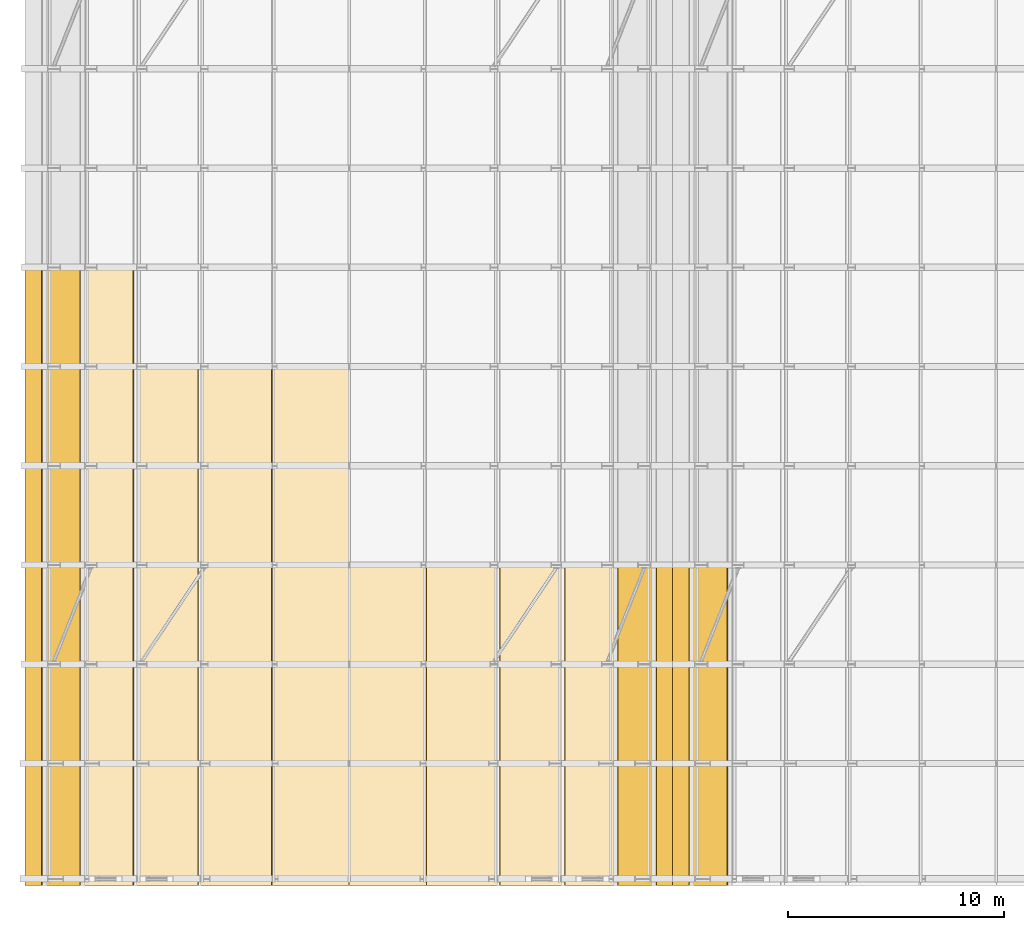
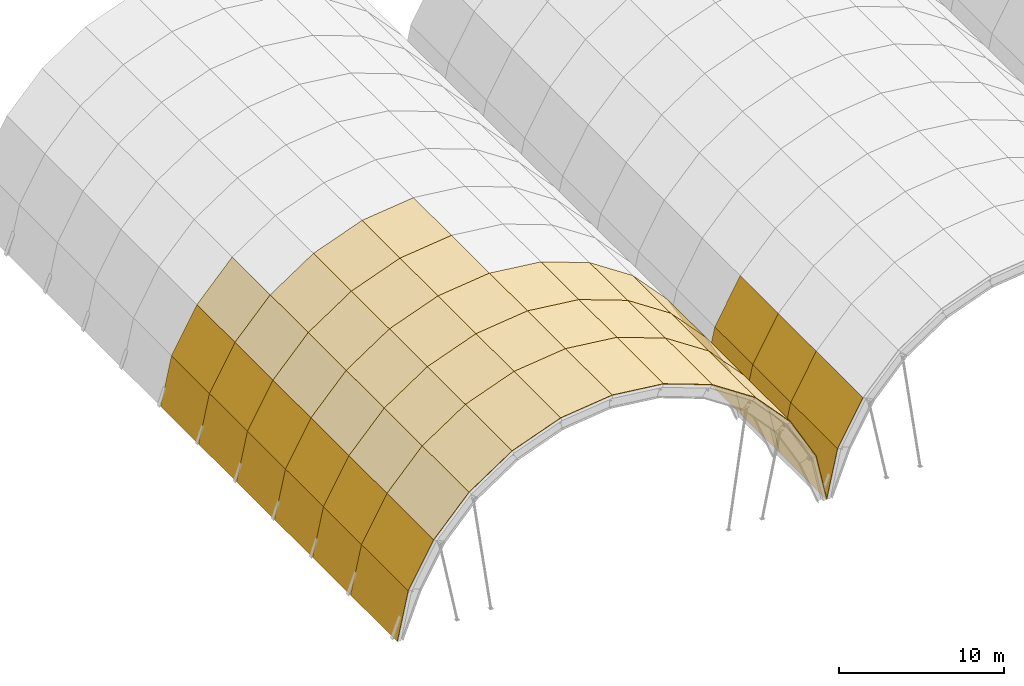
# One storey, part 40 of 47: 57 coverings.
"""IFC4 building model written with IfcOpenShell, lengths in metres."""

from ifc_helpers import new_model, si_unit, direction, frame, origin, place, context, subcontext, project, spatial, polyline, outline, extrude, material, layer, layer_set, type_object, element, save


model = new_model("IFC4")

# Units and contexts
model_context = context("Model", 3, precision=1e-05, world=origin(), true_north=direction((0.0, 1.0)))
body_context = subcontext(model_context, "Body", "Model", "MODEL_VIEW")
ifc_project = project(units=[si_unit("LENGTHUNIT", "METRE"), si_unit("AREAUNIT", "SQUARE_METRE"), si_unit("VOLUMEUNIT", "CUBIC_METRE"), si_unit("PLANEANGLEUNIT", "RADIAN"), si_unit("MASSUNIT", "GRAM", prefix="KILO")], contexts=[model_context])

# Site, building, storey
site_placement = place(None, origin())
site = spatial("IfcSite", under=ifc_project, at=site_placement, CompositionType="ELEMENT")
building_placement = place(site_placement, origin())
building = spatial("IfcBuilding", under=site, at=building_placement, Name="Muzn Square Opera House", CompositionType="ELEMENT")
storey_placement = place(building_placement, frame((0.0, 0.0, 31.0)))
storey = spatial("IfcBuildingStorey", under=building, at=storey_placement, Name="RF-1", CompositionType="ELEMENT", Elevation=31.0)

# Coverings
ifc_material = material(Name="Patina green copper-zinc standing seam", Category="metal")
ifc_layer = layer(ifc_material, 0.0400390625, Name="Patina green copper-zinc standing seam", Category="metal")
ifc_layer_set = layer_set([ifc_layer], Name="Patina green copper-zinc standing seam")
covering_type = type_object("IfcCoveringType", Name="Standing Seam Green Vault Roofing", PredefinedType="ROOFING", material=ifc_layer_set)
covering_1_placement = place(storey_placement, frame((43.7431640625, 20.949951171875, -9.02001953125), z_axis=(-0.976986683404, 0.0, 0.213300305792), x_axis=(0.0, 1.0, 0.0)))
element("IfcCovering", 1, at=covering_1_placement, inside=storey, type_object=covering_type, Name="Patina Green Standing Seam Vault Roofing V1-00-F00", PredefinedType="ROOFING", context=body_context, shape_type="SweptSolid", body=[
    extrude(outline(polyline([(0.0, 3.5619528166180294), (0.0, 0.0), (5.650146484375, 0.0), (5.650146484375, 3.5619528166180294), (0.0, 3.5619528166180294)])), origin(), (0.0, 0.0, -1.0), 0.0400390625),
])
covering_2_placement = place(storey_placement, frame((45.52490234375, 20.949951171875, -5.8681640625), z_axis=(-0.870532696062, 0.0, 0.492110582174), x_axis=(0.0, 1.0, 0.0)))
element("IfcCovering", 2, at=covering_2_placement, inside=storey, type_object=covering_type, Name="Patina Green Standing Seam Vault Roofing V1-00-F01", PredefinedType="ROOFING", context=body_context, shape_type="SweptSolid", body=[
    extrude(outline(polyline([(0.0, 3.620605501675236), (0.0, 0.0), (5.650146484375, 0.0), (5.650146484375, 3.620605501675236), (0.0, 3.620605501675236)])), origin(), (0.0, 0.0, -1.0), 0.0400390625),
])
covering_3_placement = place(storey_placement, frame((47.99072265625, 20.949951171875, -3.217041015625), z_axis=(-0.732233658575, 0.0, 0.68105349955), x_axis=(0.0, 1.0, 0.0)))
element("IfcCovering", 3, at=covering_3_placement, inside=storey, type_object=covering_type, Name="Patina Green Standing Seam Vault Roofing V1-00-F02", PredefinedType="ROOFING", context=body_context, shape_type="SweptSolid", body=[
    extrude(outline(polyline([(0.0, 3.6205970810364105), (0.0, 0.0), (5.650146484375, 0.0), (5.650146484375, 3.6205970810364105), (0.0, 3.6205970810364105)])), origin(), (0.0, 0.0, -1.0), 0.0400390625),
])
covering_4_placement = place(storey_placement, frame((51.005859375, 20.949951171875, -1.212158203125), z_axis=(-0.553703965812, 0.0, 0.832713587162), x_axis=(0.0, 1.0, 0.0)))
element("IfcCovering", 4, at=covering_4_placement, inside=storey, type_object=covering_type, Name="Patina Green Standing Seam Vault Roofing V1-00-F03", PredefinedType="ROOFING", context=body_context, shape_type="SweptSolid", body=[
    extrude(outline(polyline([(0.0, 3.620856877123484), (0.0, 0.0), (5.650146484375, 0.0), (5.650146484375, 3.620856877123484), (0.0, 3.620856877123484)])), origin(), (0.0, 0.0, -1.0), 0.0400390625),
])
covering_5_placement = place(storey_placement, frame((54.404296875, 20.949951171875, 0.036376953125), z_axis=(-0.344848988651, 0.0, 0.938658177947), x_axis=(0.0, 1.0, 0.0)))
element("IfcCovering", 5, at=covering_5_placement, inside=storey, type_object=covering_type, Name="Patina Green Standing Seam Vault Roofing V1-00-F04", PredefinedType="ROOFING", context=body_context, shape_type="SweptSolid", body=[
    extrude(outline(polyline([(0.0, 3.620527237544065), (0.0, 0.0), (5.650146484375, 0.0), (5.650146484375, 3.620527237544065), (0.0, 3.620527237544065)])), origin(), (0.0, 0.0, -1.0), 0.0400390625),
])
covering_6_placement = place(storey_placement, frame((58.0, 20.949951171875, 0.4599609375), z_axis=(-0.116993830326, 0.0, 0.993132641527), x_axis=(0.0, 1.0, 0.0)))
element("IfcCovering", 6, at=covering_6_placement, inside=storey, type_object=covering_type, Name="Patina Green Standing Seam Vault Roofing V1-00-F05", PredefinedType="ROOFING", context=body_context, shape_type="SweptSolid", body=[
    extrude(outline(polyline([(0.0, 3.6205668554735686), (0.0, 0.0), (5.650146484375, 0.0), (5.650146484375, 3.6205668554735686), (0.0, 3.6205668554735686)])), origin(), (0.0, 0.0, -1.0), 0.0400390625),
])
covering_7_placement = place(storey_placement, frame((58.0, 20.949951171875, 0.4599609375), z_axis=(0.116993830326, 0.0, 0.993132641527), x_axis=(0.993132641527, 0.0, -0.116993830326)))
element("IfcCovering", 7, at=covering_7_placement, inside=storey, type_object=covering_type, Name="Patina Green Standing Seam Vault Roofing V1-00-F06", PredefinedType="ROOFING", context=body_context, shape_type="SweptSolid", body=[
    extrude(outline(polyline([(0.0, 0.0), (3.620566855473569, 0.0), (3.620566855473569, 5.650146484374999), (0.0, 5.650146484374999), (0.0, 0.0)])), origin(), (0.0, 0.0, -1.0), 0.0400390625),
])
covering_8_placement = place(storey_placement, frame((61.595703125, 20.949951171875, 0.036376953125), z_axis=(0.344848988651, 0.0, 0.938658177947), x_axis=(0.938658177947, 0.0, -0.344848988651)))
element("IfcCovering", 8, at=covering_8_placement, inside=storey, type_object=covering_type, Name="Patina Green Standing Seam Vault Roofing V1-00-F07", PredefinedType="ROOFING", context=body_context, shape_type="SweptSolid", body=[
    extrude(outline(polyline([(0.0, 0.0), (3.620527237544066, 0.0), (3.620527237544066, 5.650146484375), (0.0, 5.650146484375), (0.0, 0.0)])), origin(), (0.0, 0.0, -1.0), 0.0400390625),
])
covering_9_placement = place(storey_placement, frame((64.994140625, 20.949951171875, -1.212158203125), z_axis=(0.553703965812, 0.0, 0.832713587162), x_axis=(0.832713587162, 0.0, -0.553703965812)))
element("IfcCovering", 9, at=covering_9_placement, inside=storey, type_object=covering_type, Name="Patina Green Standing Seam Vault Roofing V1-00-F08", PredefinedType="ROOFING", context=body_context, shape_type="SweptSolid", body=[
    extrude(outline(polyline([(0.0, 0.0), (3.620856877123484, 0.0), (3.620856877123484, 5.650146484375), (0.0, 5.650146484375), (0.0, 0.0)])), origin(), (0.0, 0.0, -1.0), 0.0400390625),
])
covering_10_placement = place(storey_placement, frame((68.00927734375, 20.949951171875, -3.217041015625), z_axis=(0.732233658575, 0.0, 0.68105349955), x_axis=(0.68105349955, 0.0, -0.732233658575)))
element("IfcCovering", 10, at=covering_10_placement, inside=storey, type_object=covering_type, Name="Patina Green Standing Seam Vault Roofing V1-00-F09", PredefinedType="ROOFING", context=body_context, shape_type="SweptSolid", body=[
    extrude(outline(polyline([(0.0, 0.0), (3.6205970810364114, 0.0), (3.6205970810364114, 5.650146484374999), (0.0, 5.650146484374999), (0.0, 0.0)])), origin(), (0.0, 0.0, -1.0), 0.0400390625),
])
covering_11_placement = place(storey_placement, frame((70.47509765625, 20.949951171875, -5.8681640625), z_axis=(0.870532696062, 0.0, 0.492110582174), x_axis=(0.492110582174, 0.0, -0.870532696062)))
element("IfcCovering", 11, at=covering_11_placement, inside=storey, type_object=covering_type, Name="Patina Green Standing Seam Vault Roofing V1-00-F10", PredefinedType="ROOFING", context=body_context, shape_type="SweptSolid", body=[
    extrude(outline(polyline([(0.0, 0.0), (3.6206055016752363, 0.0), (3.6206055016752363, 5.650146484375), (0.0, 5.650146484375), (0.0, 0.0)])), origin(), (0.0, 0.0, -1.0), 0.0400390625),
])
covering_12_placement = place(storey_placement, frame((72.2568359375, 20.949951171875, -9.02001953125), z_axis=(0.976986683404, 0.0, 0.213300305792), x_axis=(0.213300305792, 0.0, -0.976986683404)))
element("IfcCovering", 12, at=covering_12_placement, inside=storey, type_object=covering_type, Name="Patina Green Standing Seam Vault Roofing V1-00-F11", PredefinedType="ROOFING", context=body_context, shape_type="SweptSolid", body=[
    extrude(outline(polyline([(0.0, 0.0), (3.5619528166180294, 0.0), (3.5619528166180294, 5.650146484375), (0.0, 5.650146484375), (0.0, 0.0)])), origin(), (0.0, 0.0, -1.0), 0.0400390625),
])
covering_13_placement = place(storey_placement, frame((43.7431640625, 26.60009765625, -9.02001953125), z_axis=(-0.976986683404, 0.0, 0.213300305792), x_axis=(0.0, 1.0, 0.0)))
element("IfcCovering", 13, at=covering_13_placement, inside=storey, type_object=covering_type, Name="Patina Green Standing Seam Vault Roofing V1-01-F00", PredefinedType="ROOFING", context=body_context, shape_type="SweptSolid", body=[
    extrude(outline(polyline([(0.0, 3.56195281661803), (0.0, 0.0), (4.599853515625, 0.0), (4.599853515625, 3.56195281661803), (0.0, 3.56195281661803)])), origin(), (0.0, 0.0, -1.0), 0.0400390625),
])
covering_14_placement = place(storey_placement, frame((45.52490234375, 26.60009765625, -5.8681640625), z_axis=(-0.870532696062, 0.0, 0.492110582174), x_axis=(0.0, 1.0, 0.0)))
element("IfcCovering", 14, at=covering_14_placement, inside=storey, type_object=covering_type, Name="Patina Green Standing Seam Vault Roofing V1-01-F01", PredefinedType="ROOFING", context=body_context, shape_type="SweptSolid", body=[
    extrude(outline(polyline([(0.0, 3.6206055016752363), (0.0, 0.0), (4.599853515625, 0.0), (4.599853515625, 3.6206055016752363), (0.0, 3.6206055016752363)])), origin(), (0.0, 0.0, -1.0), 0.0400390625),
])
covering_15_placement = place(storey_placement, frame((47.99072265625, 26.60009765625, -3.217041015625), z_axis=(-0.732233658575, 0.0, 0.68105349955), x_axis=(0.0, 1.0, 0.0)))
element("IfcCovering", 15, at=covering_15_placement, inside=storey, type_object=covering_type, Name="Patina Green Standing Seam Vault Roofing V1-01-F02", PredefinedType="ROOFING", context=body_context, shape_type="SweptSolid", body=[
    extrude(outline(polyline([(0.0, 3.6205970810364114), (0.0, 0.0), (4.599853515625, 0.0), (4.599853515625, 3.6205970810364114), (0.0, 3.6205970810364114)])), origin(), (0.0, 0.0, -1.0), 0.0400390625),
])
covering_16_placement = place(storey_placement, frame((51.005859375, 26.60009765625, -1.212158203125), z_axis=(-0.553703965812, 0.0, 0.832713587162), x_axis=(0.0, 1.0, 0.0)))
element("IfcCovering", 16, at=covering_16_placement, inside=storey, type_object=covering_type, Name="Patina Green Standing Seam Vault Roofing V1-01-F03", PredefinedType="ROOFING", context=body_context, shape_type="SweptSolid", body=[
    extrude(outline(polyline([(0.0, 3.620856877123484), (0.0, 0.0), (4.599853515625, 0.0), (4.599853515625, 3.620856877123484), (0.0, 3.620856877123484)])), origin(), (0.0, 0.0, -1.0), 0.0400390625),
])
covering_17_placement = place(storey_placement, frame((54.404296875, 26.60009765625, 0.036376953125), z_axis=(-0.344848988651, 0.0, 0.938658177947), x_axis=(0.0, 1.0, 0.0)))
element("IfcCovering", 17, at=covering_17_placement, inside=storey, type_object=covering_type, Name="Patina Green Standing Seam Vault Roofing V1-01-F04", PredefinedType="ROOFING", context=body_context, shape_type="SweptSolid", body=[
    extrude(outline(polyline([(0.0, 3.6205272375440662), (0.0, 0.0), (4.599853515625, 0.0), (4.599853515625, 3.6205272375440662), (0.0, 3.6205272375440662)])), origin(), (0.0, 0.0, -1.0), 0.0400390625),
])
covering_18_placement = place(storey_placement, frame((58.0, 26.60009765625, 0.4599609375), z_axis=(-0.116993830326, 0.0, 0.993132641527), x_axis=(0.0, 1.0, 0.0)))
element("IfcCovering", 18, at=covering_18_placement, inside=storey, type_object=covering_type, Name="Patina Green Standing Seam Vault Roofing V1-01-F05", PredefinedType="ROOFING", context=body_context, shape_type="SweptSolid", body=[
    extrude(outline(polyline([(0.0, 3.620566855473569), (0.0, 0.0), (4.599853515625, 0.0), (4.599853515625, 3.620566855473569), (0.0, 3.620566855473569)])), origin(), (0.0, 0.0, -1.0), 0.0400390625),
])
covering_19_placement = place(storey_placement, frame((58.0, 26.60009765625, 0.4599609375), z_axis=(0.116993830326, 0.0, 0.993132641527), x_axis=(0.993132641527, 0.0, -0.116993830326)))
element("IfcCovering", 19, at=covering_19_placement, inside=storey, type_object=covering_type, Name="Patina Green Standing Seam Vault Roofing V1-01-F06", PredefinedType="ROOFING", context=body_context, shape_type="SweptSolid", body=[
    extrude(outline(polyline([(0.0, 0.0), (3.620566855473569, 0.0), (3.620566855473569, 4.599853515625), (0.0, 4.599853515625), (0.0, 0.0)])), origin(), (0.0, 0.0, -1.0), 0.0400390625),
])
covering_20_placement = place(storey_placement, frame((61.595703125, 26.60009765625, 0.036376953125), z_axis=(0.344848988651, 0.0, 0.938658177947), x_axis=(0.938658177947, 0.0, -0.344848988651)))
element("IfcCovering", 20, at=covering_20_placement, inside=storey, type_object=covering_type, Name="Patina Green Standing Seam Vault Roofing V1-01-F07", PredefinedType="ROOFING", context=body_context, shape_type="SweptSolid", body=[
    extrude(outline(polyline([(0.0, 0.0), (3.620527237544066, 0.0), (3.620527237544066, 4.599853515625001), (0.0, 4.599853515625001), (0.0, 0.0)])), origin(), (0.0, 0.0, -1.0), 0.0400390625),
])
covering_21_placement = place(storey_placement, frame((64.994140625, 26.60009765625, -1.212158203125), z_axis=(0.553703965812, 0.0, 0.832713587162), x_axis=(0.832713587162, 0.0, -0.553703965812)))
element("IfcCovering", 21, at=covering_21_placement, inside=storey, type_object=covering_type, Name="Patina Green Standing Seam Vault Roofing V1-01-F08", PredefinedType="ROOFING", context=body_context, shape_type="SweptSolid", body=[
    extrude(outline(polyline([(0.0, 0.0), (3.620856877123484, 0.0), (3.620856877123484, 4.599853515625), (0.0, 4.599853515625), (0.0, 0.0)])), origin(), (0.0, 0.0, -1.0), 0.0400390625),
])
covering_22_placement = place(storey_placement, frame((68.00927734375, 26.60009765625, -3.217041015625), z_axis=(0.732233658575, 0.0, 0.68105349955), x_axis=(0.68105349955, 0.0, -0.732233658575)))
element("IfcCovering", 22, at=covering_22_placement, inside=storey, type_object=covering_type, Name="Patina Green Standing Seam Vault Roofing V1-01-F09", PredefinedType="ROOFING", context=body_context, shape_type="SweptSolid", body=[
    extrude(outline(polyline([(0.0, 0.0), (3.6205970810364114, 0.0), (3.6205970810364114, 4.599853515625), (0.0, 4.599853515625), (0.0, 0.0)])), origin(), (0.0, 0.0, -1.0), 0.0400390625),
])
covering_23_placement = place(storey_placement, frame((70.47509765625, 26.60009765625, -5.8681640625), z_axis=(0.870532696062, 0.0, 0.492110582174), x_axis=(0.492110582174, 0.0, -0.870532696062)))
element("IfcCovering", 23, at=covering_23_placement, inside=storey, type_object=covering_type, Name="Patina Green Standing Seam Vault Roofing V1-01-F10", PredefinedType="ROOFING", context=body_context, shape_type="SweptSolid", body=[
    extrude(outline(polyline([(0.0, 0.0), (3.620605501675236, 0.0), (3.620605501675236, 4.599853515625001), (0.0, 4.599853515625001), (0.0, 0.0)])), origin(), (0.0, 0.0, -1.0), 0.0400390625),
])
covering_24_placement = place(storey_placement, frame((72.2568359375, 26.60009765625, -9.02001953125), z_axis=(0.976986683404, 0.0, 0.213300305792), x_axis=(0.213300305792, 0.0, -0.976986683404)))
element("IfcCovering", 24, at=covering_24_placement, inside=storey, type_object=covering_type, Name="Patina Green Standing Seam Vault Roofing V1-01-F11", PredefinedType="ROOFING", context=body_context, shape_type="SweptSolid", body=[
    extrude(outline(polyline([(0.0, 0.0), (3.5619528166180294, 0.0), (3.5619528166180294, 4.599853515625001), (0.0, 4.599853515625001), (0.0, 0.0)])), origin(), (0.0, 0.0, -1.0), 0.0400390625),
])
covering_25_placement = place(storey_placement, frame((43.7431640625, 31.199951171875, -9.02001953125), z_axis=(-0.976986683404, 0.0, 0.213300305792), x_axis=(0.0, 1.0, 0.0)))
element("IfcCovering", 25, at=covering_25_placement, inside=storey, type_object=covering_type, Name="Patina Green Standing Seam Vault Roofing V1-02-F00", PredefinedType="ROOFING", context=body_context, shape_type="SweptSolid", body=[
    extrude(outline(polyline([(0.0, 3.561952816618029), (0.0, 0.0), (4.60009765625, 0.0), (4.60009765625, 3.561952816618029), (0.0, 3.561952816618029)])), origin(), (0.0, 0.0, -1.0), 0.0400390625),
])
covering_26_placement = place(storey_placement, frame((45.52490234375, 31.199951171875, -5.8681640625), z_axis=(-0.870532696062, 0.0, 0.492110582174), x_axis=(0.0, 1.0, 0.0)))
element("IfcCovering", 26, at=covering_26_placement, inside=storey, type_object=covering_type, Name="Patina Green Standing Seam Vault Roofing V1-02-F01", PredefinedType="ROOFING", context=body_context, shape_type="SweptSolid", body=[
    extrude(outline(polyline([(0.0, 3.620605501675236), (0.0, 0.0), (4.60009765625, 0.0), (4.60009765625, 3.620605501675236), (0.0, 3.620605501675236)])), origin(), (0.0, 0.0, -1.0), 0.0400390625),
])
covering_27_placement = place(storey_placement, frame((47.99072265625, 31.199951171875, -3.217041015625), z_axis=(-0.732233658575, 0.0, 0.68105349955), x_axis=(0.0, 1.0, 0.0)))
element("IfcCovering", 27, at=covering_27_placement, inside=storey, type_object=covering_type, Name="Patina Green Standing Seam Vault Roofing V1-02-F02", PredefinedType="ROOFING", context=body_context, shape_type="SweptSolid", body=[
    extrude(outline(polyline([(0.0, 3.6205970810364114), (0.0, 0.0), (4.60009765625, 0.0), (4.60009765625, 3.6205970810364114), (0.0, 3.6205970810364114)])), origin(), (0.0, 0.0, -1.0), 0.0400390625),
])
covering_28_placement = place(storey_placement, frame((51.005859375, 31.199951171875, -1.212158203125), z_axis=(-0.553703965812, 0.0, 0.832713587162), x_axis=(0.0, 1.0, 0.0)))
element("IfcCovering", 28, at=covering_28_placement, inside=storey, type_object=covering_type, Name="Patina Green Standing Seam Vault Roofing V1-02-F03", PredefinedType="ROOFING", context=body_context, shape_type="SweptSolid", body=[
    extrude(outline(polyline([(0.0, 3.620856877123484), (0.0, 0.0), (4.60009765625, 0.0), (4.60009765625, 3.620856877123484), (0.0, 3.620856877123484)])), origin(), (0.0, 0.0, -1.0), 0.0400390625),
])
covering_29_placement = place(storey_placement, frame((54.404296875, 31.199951171875, 0.036376953125), z_axis=(-0.344848988651, 0.0, 0.938658177947), x_axis=(0.0, 1.0, 0.0)))
element("IfcCovering", 29, at=covering_29_placement, inside=storey, type_object=covering_type, Name="Patina Green Standing Seam Vault Roofing V1-02-F04", PredefinedType="ROOFING", context=body_context, shape_type="SweptSolid", body=[
    extrude(outline(polyline([(0.0, 3.6205272375440654), (0.0, 0.0), (4.60009765625, 0.0), (4.60009765625, 3.6205272375440654), (0.0, 3.6205272375440654)])), origin(), (0.0, 0.0, -1.0), 0.0400390625),
])
covering_30_placement = place(storey_placement, frame((58.0, 31.199951171875, 0.4599609375), z_axis=(-0.116993830326, 0.0, 0.993132641527), x_axis=(0.0, 1.0, 0.0)))
element("IfcCovering", 30, at=covering_30_placement, inside=storey, type_object=covering_type, Name="Patina Green Standing Seam Vault Roofing V1-02-F05", PredefinedType="ROOFING", context=body_context, shape_type="SweptSolid", body=[
    extrude(outline(polyline([(0.0, 3.620566855473569), (0.0, 0.0), (4.60009765625, 0.0), (4.60009765625, 3.620566855473569), (0.0, 3.620566855473569)])), origin(), (0.0, 0.0, -1.0), 0.0400390625),
])
covering_31_placement = place(storey_placement, frame((58.0, 31.199951171875, 0.4599609375), z_axis=(0.116993830326, 0.0, 0.993132641527), x_axis=(0.993132641527, 0.0, -0.116993830326)))
element("IfcCovering", 31, at=covering_31_placement, inside=storey, type_object=covering_type, Name="Patina Green Standing Seam Vault Roofing V1-02-F06", PredefinedType="ROOFING", context=body_context, shape_type="SweptSolid", body=[
    extrude(outline(polyline([(0.0, 0.0), (3.620566855473569, 0.0), (3.620566855473569, 4.60009765625), (0.0, 4.60009765625), (0.0, 0.0)])), origin(), (0.0, 0.0, -1.0), 0.0400390625),
])
covering_32_placement = place(storey_placement, frame((61.595703125, 31.199951171875, 0.036376953125), z_axis=(0.344848988651, 0.0, 0.938658177947), x_axis=(0.938658177947, 0.0, -0.344848988651)))
element("IfcCovering", 32, at=covering_32_placement, inside=storey, type_object=covering_type, Name="Patina Green Standing Seam Vault Roofing V1-02-F07", PredefinedType="ROOFING", context=body_context, shape_type="SweptSolid", body=[
    extrude(outline(polyline([(0.0, 0.0), (3.6205272375440654, 0.0), (3.6205272375440654, 4.60009765625), (0.0, 4.60009765625), (0.0, 0.0)])), origin(), (0.0, 0.0, -1.0), 0.0400390625),
])
covering_33_placement = place(storey_placement, frame((64.994140625, 31.199951171875, -1.212158203125), z_axis=(0.553703965812, 0.0, 0.832713587162), x_axis=(0.832713587162, 0.0, -0.553703965812)))
element("IfcCovering", 33, at=covering_33_placement, inside=storey, type_object=covering_type, Name="Patina Green Standing Seam Vault Roofing V1-02-F08", PredefinedType="ROOFING", context=body_context, shape_type="SweptSolid", body=[
    extrude(outline(polyline([(0.0, 0.0), (3.620856877123484, 0.0), (3.620856877123484, 4.60009765625), (0.0, 4.60009765625), (0.0, 0.0)])), origin(), (0.0, 0.0, -1.0), 0.0400390625),
])
covering_34_placement = place(storey_placement, frame((68.00927734375, 31.199951171875, -3.217041015625), z_axis=(0.732233658575, 0.0, 0.68105349955), x_axis=(0.68105349955, 0.0, -0.732233658575)))
element("IfcCovering", 34, at=covering_34_placement, inside=storey, type_object=covering_type, Name="Patina Green Standing Seam Vault Roofing V1-02-F09", PredefinedType="ROOFING", context=body_context, shape_type="SweptSolid", body=[
    extrude(outline(polyline([(0.0, 0.0), (3.6205970810364114, 0.0), (3.6205970810364114, 4.60009765625), (0.0, 4.60009765625), (0.0, 0.0)])), origin(), (0.0, 0.0, -1.0), 0.0400390625),
])
covering_35_placement = place(storey_placement, frame((70.47509765625, 31.199951171875, -5.8681640625), z_axis=(0.870532696062, 0.0, 0.492110582174), x_axis=(0.492110582174, 0.0, -0.870532696062)))
element("IfcCovering", 35, at=covering_35_placement, inside=storey, type_object=covering_type, Name="Patina Green Standing Seam Vault Roofing V1-02-F10", PredefinedType="ROOFING", context=body_context, shape_type="SweptSolid", body=[
    extrude(outline(polyline([(0.0, 0.0), (3.6206055016752363, 0.0), (3.6206055016752363, 4.60009765625), (0.0, 4.60009765625), (0.0, 0.0)])), origin(), (0.0, 0.0, -1.0), 0.0400390625),
])
covering_36_placement = place(storey_placement, frame((72.2568359375, 31.199951171875, -9.02001953125), z_axis=(0.976986683404, 0.0, 0.213300305792), x_axis=(0.213300305792, 0.0, -0.976986683404)))
element("IfcCovering", 36, at=covering_36_placement, inside=storey, type_object=covering_type, Name="Patina Green Standing Seam Vault Roofing V1-02-F11", PredefinedType="ROOFING", context=body_context, shape_type="SweptSolid", body=[
    extrude(outline(polyline([(0.0, 0.0), (3.5619528166180294, 0.0), (3.5619528166180294, 4.600097656249999), (0.0, 4.600097656249999), (0.0, 0.0)])), origin(), (0.0, 0.0, -1.0), 0.0400390625),
])
covering_37_placement = place(storey_placement, frame((43.7431640625, 35.800048828125, -9.02001953125), z_axis=(-0.976986683404, 0.0, 0.213300305792), x_axis=(0.0, 1.0, 0.0)))
element("IfcCovering", 37, at=covering_37_placement, inside=storey, type_object=covering_type, Name="Patina Green Standing Seam Vault Roofing V1-03-F00", PredefinedType="ROOFING", context=body_context, shape_type="SweptSolid", body=[
    extrude(outline(polyline([(0.0, 3.56195281661803), (0.0, 0.0), (4.599853515625, 0.0), (4.599853515625, 3.56195281661803), (0.0, 3.56195281661803)])), origin(), (0.0, 0.0, -1.0), 0.0400390625),
])
covering_38_placement = place(storey_placement, frame((45.52490234375, 35.800048828125, -5.8681640625), z_axis=(-0.870532696062, 0.0, 0.492110582174), x_axis=(0.0, 1.0, 0.0)))
element("IfcCovering", 38, at=covering_38_placement, inside=storey, type_object=covering_type, Name="Patina Green Standing Seam Vault Roofing V1-03-F01", PredefinedType="ROOFING", context=body_context, shape_type="SweptSolid", body=[
    extrude(outline(polyline([(0.0, 3.6206055016752363), (0.0, 0.0), (4.599853515625, 0.0), (4.599853515625, 3.6206055016752363), (0.0, 3.6206055016752363)])), origin(), (0.0, 0.0, -1.0), 0.0400390625),
])
covering_39_placement = place(storey_placement, frame((47.99072265625, 35.800048828125, -3.217041015625), z_axis=(-0.732233658575, 0.0, 0.68105349955), x_axis=(0.0, 1.0, 0.0)))
element("IfcCovering", 39, at=covering_39_placement, inside=storey, type_object=covering_type, Name="Patina Green Standing Seam Vault Roofing V1-03-F02", PredefinedType="ROOFING", context=body_context, shape_type="SweptSolid", body=[
    extrude(outline(polyline([(0.0, 3.6205970810364114), (0.0, 0.0), (4.599853515625, 0.0), (4.599853515625, 3.6205970810364114), (0.0, 3.6205970810364114)])), origin(), (0.0, 0.0, -1.0), 0.0400390625),
])
covering_40_placement = place(storey_placement, frame((51.005859375, 35.800048828125, -1.212158203125), z_axis=(-0.553703965812, 0.0, 0.832713587162), x_axis=(0.0, 1.0, 0.0)))
element("IfcCovering", 40, at=covering_40_placement, inside=storey, type_object=covering_type, Name="Patina Green Standing Seam Vault Roofing V1-03-F03", PredefinedType="ROOFING", context=body_context, shape_type="SweptSolid", body=[
    extrude(outline(polyline([(0.0, 3.620856877123484), (0.0, 0.0), (4.599853515625, 0.0), (4.599853515625, 3.620856877123484), (0.0, 3.620856877123484)])), origin(), (0.0, 0.0, -1.0), 0.0400390625),
])
covering_41_placement = place(storey_placement, frame((54.404296875, 35.800048828125, 0.036376953125), z_axis=(-0.344848988651, 0.0, 0.938658177947), x_axis=(0.0, 1.0, 0.0)))
element("IfcCovering", 41, at=covering_41_placement, inside=storey, type_object=covering_type, Name="Patina Green Standing Seam Vault Roofing V1-03-F04", PredefinedType="ROOFING", context=body_context, shape_type="SweptSolid", body=[
    extrude(outline(polyline([(0.0, 3.6205272375440662), (0.0, 0.0), (4.599853515625, 0.0), (4.599853515625, 3.6205272375440662), (0.0, 3.6205272375440662)])), origin(), (0.0, 0.0, -1.0), 0.0400390625),
])
covering_42_placement = place(storey_placement, frame((58.0, 35.800048828125, 0.4599609375), z_axis=(-0.116993830326, 0.0, 0.993132641527), x_axis=(0.0, 1.0, 0.0)))
element("IfcCovering", 42, at=covering_42_placement, inside=storey, type_object=covering_type, Name="Patina Green Standing Seam Vault Roofing V1-03-F05", PredefinedType="ROOFING", context=body_context, shape_type="SweptSolid", body=[
    extrude(outline(polyline([(0.0, 3.620566855473569), (0.0, 0.0), (4.599853515625, 0.0), (4.599853515625, 3.620566855473569), (0.0, 3.620566855473569)])), origin(), (0.0, 0.0, -1.0), 0.0400390625),
])
covering_43_placement = place(storey_placement, frame((43.7431640625, 40.39990234375, -9.02001953125), z_axis=(-0.976986683404, 0.0, 0.213300305792), x_axis=(0.0, 1.0, 0.0)))
element("IfcCovering", 43, at=covering_43_placement, inside=storey, type_object=covering_type, Name="Patina Green Standing Seam Vault Roofing V1-04-F00", PredefinedType="ROOFING", context=body_context, shape_type="SweptSolid", body=[
    extrude(outline(polyline([(0.0, 3.561952816618029), (0.0, 0.0), (4.60009765625, 0.0), (4.60009765625, 3.561952816618029), (0.0, 3.561952816618029)])), origin(), (0.0, 0.0, -1.0), 0.0400390625),
])
covering_44_placement = place(storey_placement, frame((45.52490234375, 40.39990234375, -5.8681640625), z_axis=(-0.870532696062, 0.0, 0.492110582174), x_axis=(0.0, 1.0, 0.0)))
element("IfcCovering", 44, at=covering_44_placement, inside=storey, type_object=covering_type, Name="Patina Green Standing Seam Vault Roofing V1-04-F01", PredefinedType="ROOFING", context=body_context, shape_type="SweptSolid", body=[
    extrude(outline(polyline([(0.0, 3.620605501675236), (0.0, 0.0), (4.60009765625, 0.0), (4.60009765625, 3.620605501675236), (0.0, 3.620605501675236)])), origin(), (0.0, 0.0, -1.0), 0.0400390625),
])
covering_45_placement = place(storey_placement, frame((47.99072265625, 40.39990234375, -3.217041015625), z_axis=(-0.732233658575, 0.0, 0.68105349955), x_axis=(0.0, 1.0, 0.0)))
element("IfcCovering", 45, at=covering_45_placement, inside=storey, type_object=covering_type, Name="Patina Green Standing Seam Vault Roofing V1-04-F02", PredefinedType="ROOFING", context=body_context, shape_type="SweptSolid", body=[
    extrude(outline(polyline([(0.0, 3.6205970810364114), (0.0, 0.0), (4.60009765625, 0.0), (4.60009765625, 3.6205970810364114), (0.0, 3.6205970810364114)])), origin(), (0.0, 0.0, -1.0), 0.0400390625),
])
covering_46_placement = place(storey_placement, frame((51.005859375, 40.39990234375, -1.212158203125), z_axis=(-0.553703965812, 0.0, 0.832713587162), x_axis=(0.0, 1.0, 0.0)))
element("IfcCovering", 46, at=covering_46_placement, inside=storey, type_object=covering_type, Name="Patina Green Standing Seam Vault Roofing V1-04-F03", PredefinedType="ROOFING", context=body_context, shape_type="SweptSolid", body=[
    extrude(outline(polyline([(0.0, 3.620856877123484), (0.0, 0.0), (4.60009765625, 0.0), (4.60009765625, 3.620856877123484), (0.0, 3.620856877123484)])), origin(), (0.0, 0.0, -1.0), 0.0400390625),
])
covering_47_placement = place(storey_placement, frame((54.404296875, 40.39990234375, 0.036376953125), z_axis=(-0.344848988651, 0.0, 0.938658177947), x_axis=(0.0, 1.0, 0.0)))
element("IfcCovering", 47, at=covering_47_placement, inside=storey, type_object=covering_type, Name="Patina Green Standing Seam Vault Roofing V1-04-F04", PredefinedType="ROOFING", context=body_context, shape_type="SweptSolid", body=[
    extrude(outline(polyline([(0.0, 3.6205272375440654), (0.0, 0.0), (4.60009765625, 0.0), (4.60009765625, 3.6205272375440654), (0.0, 3.6205272375440654)])), origin(), (0.0, 0.0, -1.0), 0.0400390625),
])
covering_48_placement = place(storey_placement, frame((58.0, 40.39990234375, 0.4599609375), z_axis=(-0.116993830326, 0.0, 0.993132641527), x_axis=(0.0, 1.0, 0.0)))
element("IfcCovering", 48, at=covering_48_placement, inside=storey, type_object=covering_type, Name="Patina Green Standing Seam Vault Roofing V1-04-F05", PredefinedType="ROOFING", context=body_context, shape_type="SweptSolid", body=[
    extrude(outline(polyline([(0.0, 3.620566855473569), (0.0, 0.0), (4.60009765625, 0.0), (4.60009765625, 3.620566855473569), (0.0, 3.620566855473569)])), origin(), (0.0, 0.0, -1.0), 0.0400390625),
])
covering_49_placement = place(storey_placement, frame((43.7431640625, 45.0, -9.02001953125), z_axis=(-0.976986683404, 0.0, 0.213300305792), x_axis=(0.0, 1.0, 0.0)))
element("IfcCovering", 49, at=covering_49_placement, inside=storey, type_object=covering_type, Name="Patina Green Standing Seam Vault Roofing V1-05-F00", PredefinedType="ROOFING", context=body_context, shape_type="SweptSolid", body=[
    extrude(outline(polyline([(0.0, 3.561952816618029), (0.0, 0.0), (4.60009765625, 0.0), (4.60009765625, 3.561952816618029), (0.0, 3.561952816618029)])), origin(), (0.0, 0.0, -1.0), 0.0400390625),
])
covering_50_placement = place(storey_placement, frame((45.52490234375, 45.0, -5.8681640625), z_axis=(-0.870532696062, 0.0, 0.492110582174), x_axis=(0.0, 1.0, 0.0)))
element("IfcCovering", 50, at=covering_50_placement, inside=storey, type_object=covering_type, Name="Patina Green Standing Seam Vault Roofing V1-05-F01", PredefinedType="ROOFING", context=body_context, shape_type="SweptSolid", body=[
    extrude(outline(polyline([(0.0, 3.620605501675236), (0.0, 0.0), (4.60009765625, 0.0), (4.60009765625, 3.620605501675236), (0.0, 3.620605501675236)])), origin(), (0.0, 0.0, -1.0), 0.0400390625),
])
covering_51_placement = place(storey_placement, frame((47.99072265625, 45.0, -3.217041015625), z_axis=(-0.732233658575, 0.0, 0.68105349955), x_axis=(0.0, 1.0, 0.0)))
element("IfcCovering", 51, at=covering_51_placement, inside=storey, type_object=covering_type, Name="Patina Green Standing Seam Vault Roofing V1-05-F02", PredefinedType="ROOFING", context=body_context, shape_type="SweptSolid", body=[
    extrude(outline(polyline([(0.0, 3.6205970810364114), (0.0, 0.0), (4.60009765625, 0.0), (4.60009765625, 3.6205970810364114), (0.0, 3.6205970810364114)])), origin(), (0.0, 0.0, -1.0), 0.0400390625),
])
covering_52_placement = place(storey_placement, frame((73.7431640625, 20.949951171875, -9.02001953125), z_axis=(-0.976986683404, 0.0, 0.213300305792), x_axis=(0.0, 1.0, 0.0)))
element("IfcCovering", 52, at=covering_52_placement, inside=storey, type_object=covering_type, Name="Patina Green Standing Seam Vault Roofing V2-00-F00", PredefinedType="ROOFING", context=body_context, shape_type="SweptSolid", body=[
    extrude(outline(polyline([(0.0, 3.5619528166180294), (0.0, 0.0), (5.650146484375, 0.0), (5.650146484375, 3.5619528166180294), (0.0, 3.5619528166180294)])), origin(), (0.0, 0.0, -1.0), 0.0400390625),
])
covering_53_placement = place(storey_placement, frame((75.52490234375, 20.949951171875, -5.8681640625), z_axis=(-0.870532696062, 0.0, 0.492110582174), x_axis=(0.0, 1.0, 0.0)))
element("IfcCovering", 53, at=covering_53_placement, inside=storey, type_object=covering_type, Name="Patina Green Standing Seam Vault Roofing V2-00-F01", PredefinedType="ROOFING", context=body_context, shape_type="SweptSolid", body=[
    extrude(outline(polyline([(0.0, 3.620605501675236), (0.0, 0.0), (5.650146484375, 0.0), (5.650146484375, 3.620605501675236), (0.0, 3.620605501675236)])), origin(), (0.0, 0.0, -1.0), 0.0400390625),
])
covering_54_placement = place(storey_placement, frame((73.7431640625, 26.60009765625, -9.02001953125), z_axis=(-0.976986683404, 0.0, 0.213300305792), x_axis=(0.0, 1.0, 0.0)))
element("IfcCovering", 54, at=covering_54_placement, inside=storey, type_object=covering_type, Name="Patina Green Standing Seam Vault Roofing V2-01-F00", PredefinedType="ROOFING", context=body_context, shape_type="SweptSolid", body=[
    extrude(outline(polyline([(0.0, 3.56195281661803), (0.0, 0.0), (4.599853515625, 0.0), (4.599853515625, 3.56195281661803), (0.0, 3.56195281661803)])), origin(), (0.0, 0.0, -1.0), 0.0400390625),
])
covering_55_placement = place(storey_placement, frame((75.52490234375, 26.60009765625, -5.8681640625), z_axis=(-0.870532696062, 0.0, 0.492110582174), x_axis=(0.0, 1.0, 0.0)))
element("IfcCovering", 55, at=covering_55_placement, inside=storey, type_object=covering_type, Name="Patina Green Standing Seam Vault Roofing V2-01-F01", PredefinedType="ROOFING", context=body_context, shape_type="SweptSolid", body=[
    extrude(outline(polyline([(0.0, 3.6206055016752363), (0.0, 0.0), (4.599853515625, 0.0), (4.599853515625, 3.6206055016752363), (0.0, 3.6206055016752363)])), origin(), (0.0, 0.0, -1.0), 0.0400390625),
])
covering_56_placement = place(storey_placement, frame((73.7431640625, 31.199951171875, -9.02001953125), z_axis=(-0.976986683404, 0.0, 0.213300305792), x_axis=(0.0, 1.0, 0.0)))
element("IfcCovering", 56, at=covering_56_placement, inside=storey, type_object=covering_type, Name="Patina Green Standing Seam Vault Roofing V2-02-F00", PredefinedType="ROOFING", context=body_context, shape_type="SweptSolid", body=[
    extrude(outline(polyline([(0.0, 3.561952816618029), (0.0, 0.0), (4.60009765625, 0.0), (4.60009765625, 3.561952816618029), (0.0, 3.561952816618029)])), origin(), (0.0, 0.0, -1.0), 0.0400390625),
])
covering_57_placement = place(storey_placement, frame((75.52490234375, 31.199951171875, -5.8681640625), z_axis=(-0.870532696062, 0.0, 0.492110582174), x_axis=(0.0, 1.0, 0.0)))
element("IfcCovering", 57, at=covering_57_placement, inside=storey, type_object=covering_type, Name="Patina Green Standing Seam Vault Roofing V2-02-F01", PredefinedType="ROOFING", context=body_context, shape_type="SweptSolid", body=[
    extrude(outline(polyline([(0.0, 3.620605501675236), (0.0, 0.0), (4.60009765625, 0.0), (4.60009765625, 3.620605501675236), (0.0, 3.620605501675236)])), origin(), (0.0, 0.0, -1.0), 0.0400390625),
])

save(model, "model.ifc")
